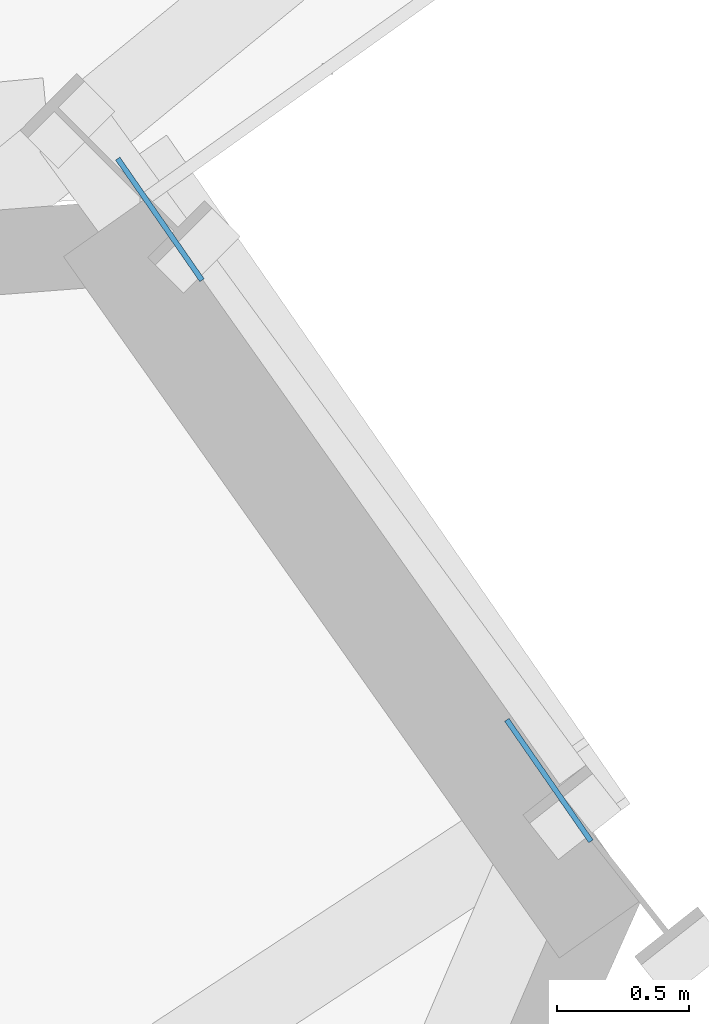
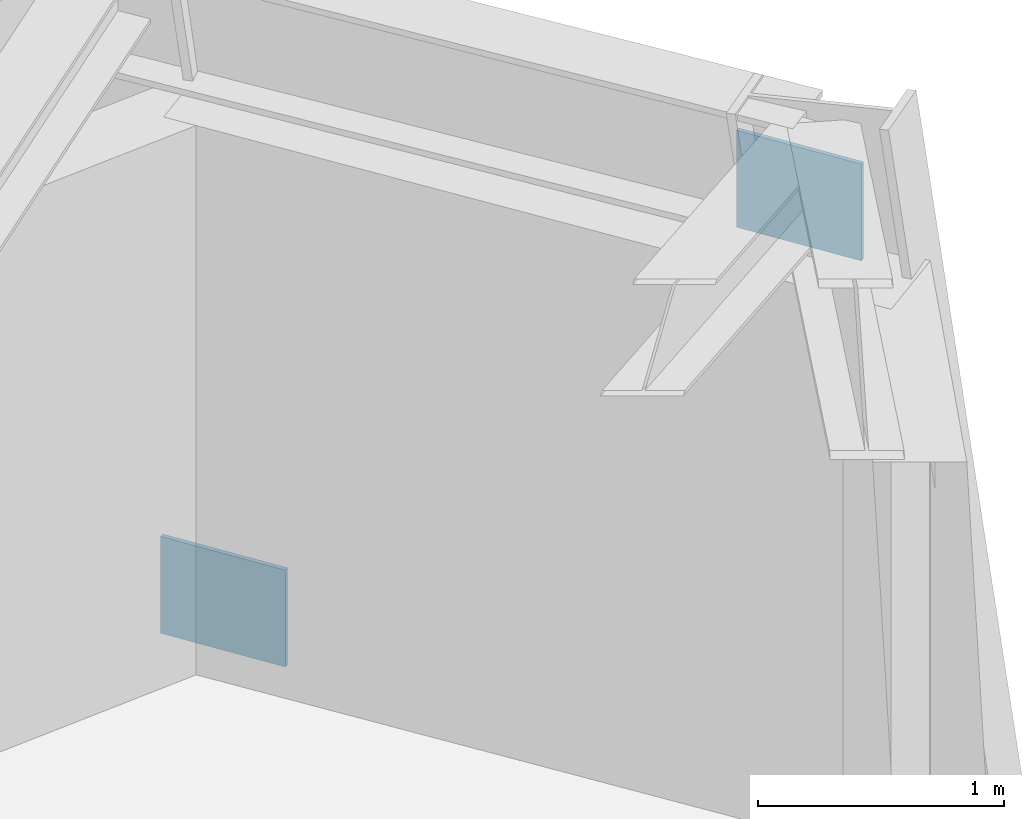
# One storey, part 7 of 14: 2 plates.
"""IFC4 building model written with IfcOpenShell, lengths in metres."""

from ifc_helpers import new_model, si_unit, direction, frame, origin, origin_2d, place, context, subcontext, project, spatial, rectangle, extrude, source, transform, mapped, material, type_object, element, save


model = new_model("IFC4")

# Units and contexts
model_context = context("Model", 3, precision=1e-05, world=origin(), true_north=direction((0.0, 1.0)))
body_context = subcontext(model_context, "Body", "Model", "MODEL_VIEW")
ifc_project = project(units=[si_unit("LENGTHUNIT", "METRE"), si_unit("AREAUNIT", "SQUARE_METRE"), si_unit("VOLUMEUNIT", "CUBIC_METRE"), si_unit("PLANEANGLEUNIT", "RADIAN"), si_unit("MASSUNIT", "GRAM", prefix="KILO")], contexts=[model_context])

# Site, building, storey
site_placement = place(None, origin())
site = spatial("IfcSite", under=ifc_project, at=site_placement, CompositionType="ELEMENT")
building_placement = place(site_placement, origin())
building = spatial("IfcBuilding", under=site, at=building_placement, Name="Olszyna Solenne Hotel", CompositionType="ELEMENT")
storey_placement = place(building_placement, frame((0.0, 0.0, 178.550048828125)))
storey = spatial("IfcBuildingStorey", under=building, at=storey_placement, Name="L47", CompositionType="ELEMENT", Elevation=178.550048828125)

# Plates
ifc_material = material(Name="Steel S355J2", Category="steel")
plate_type = type_object("IfcPlateType", Name="GP-ND2", PredefinedType="USERDEFINED", material=ifc_material)
shared_shape = source(origin(), body_context, "Body", "SweptSolid", [
    extrude(rectangle(XDim=0.56005859375, YDim=0.02001953125, at=origin_2d()), origin(), (0.0, 0.0, 1.0), 0.47998046875),
])
for number, where, z_axis, x_axis, name in (
    (1, (60.852294921875, 44.815673828125, -0.12744140625), (0.0, 0.0, 1.0), (0.569709918989, -0.821845854285, 0.0), "Brace end connection gusset plate GP-ND2 EP-BR-L47-1-1"),
    (2, (62.325439453125, 42.69091796875, 2.657470703125), (0.0, 0.0, 1.0), (0.569709918989, -0.821845854285, 0.0), "Brace end connection gusset plate GP-ND2 EP-BR-L47-1-2"),
):
    element("IfcPlate", number, at=place(storey_placement, frame(where, z_axis=z_axis, x_axis=x_axis)), inside=storey, type_object=plate_type, Name=name, ObjectType="GUSSET_PLATE", PredefinedType="USERDEFINED", context=body_context, shape_type="MappedRepresentation", body=[
        mapped(shared_shape, transform((0.0, 0.0, 0.0), x_axis=(1.0, 0.0, 0.0), y_axis=(0.0, 1.0, 0.0), z_axis=(0.0, 0.0, 1.0), scale=1.0)),
    ])

save(model, "model.ifc")
